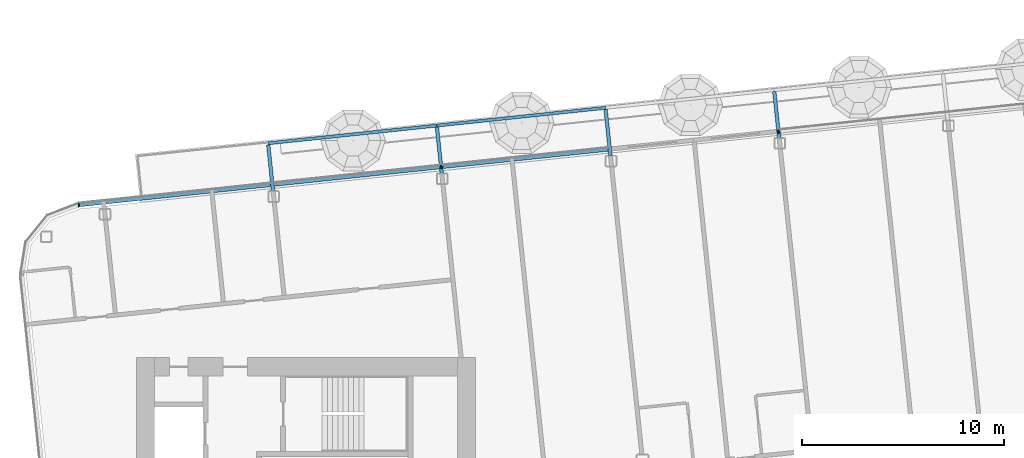
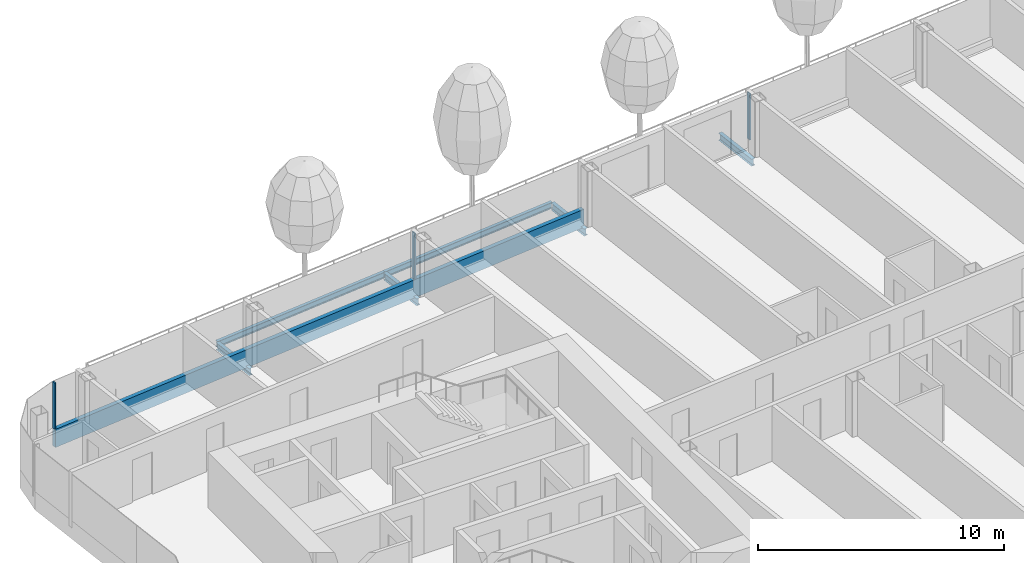
# One storey, part 7 of 29: 6 beams, 4 members, 1 element without a shape of its own.
"""IFC4 building model written with IfcOpenShell, lengths in metres."""

from ifc_helpers import new_model, si_unit, direction, frame, origin, origin_2d, place, context, subcontext, project, spatial, rectangle, i_section, extrude, material, layer, layer_set, material_profile, profile_set, type_object, element, aggregate, save


model = new_model("IFC4")

# Units and contexts
model_context = context("Model", 3, precision=1e-05, world=origin(), true_north=direction((0.0, 1.0)))
body_context = subcontext(model_context, "Body", "Model", "MODEL_VIEW")
ifc_project = project(units=[si_unit("LENGTHUNIT", "METRE"), si_unit("AREAUNIT", "SQUARE_METRE"), si_unit("VOLUMEUNIT", "CUBIC_METRE"), si_unit("PLANEANGLEUNIT", "RADIAN"), si_unit("MASSUNIT", "GRAM", prefix="KILO")], contexts=[model_context])

# Site, building, storey
site_placement = place(None, origin())
site = spatial("IfcSite", under=ifc_project, at=site_placement, CompositionType="ELEMENT")
building_placement = place(site_placement, origin())
building = spatial("IfcBuilding", under=site, at=building_placement, Name="Hakoniwa Tower and Hamabe Station Hall", CompositionType="ELEMENT")
storey_placement = place(building_placement, frame((0.0, 0.0, 258.199951171875)))
storey = spatial("IfcBuildingStorey", under=building, at=storey_placement, Name="L73", CompositionType="ELEMENT", Elevation=258.199951171875)

# Beams
ifc_material_1 = material(Name="Steel SN490B", Category="steel")
ifc_material_profile_1 = material_profile(ifc_material_1, i_section(OverallWidth=0.175048828125, OverallDepth=0.35009765625, WebThickness=0.007080078125, FlangeThickness=0.010986328125, FilletRadius=0.013916015625, at=origin_2d()), Name="H-350x175x7x11")
ifc_profile_set_1 = profile_set([ifc_material_profile_1], Name="Steel SN490B")
beam_type_1 = type_object("IfcBeamType", Name="BALCONY BRACKET H-350x175x7x11", PredefinedType="BEAM", material=ifc_profile_set_1)
for number, where, z_axis, x_axis, name in (
    (1, (-26.825927734375, 16.6484375, -0.625), (-0.104557694553, 0.994518822602, 0.0), (-0.994518822602, -0.104557694553, 0.0), "Balcony bracket B5-4-F5"),
    (2, (-18.471923828125, 17.526611328125, -0.625), (-0.104557694553, 0.994518822602, 0.0), (-0.994518822602, -0.104557694553, 0.0), "Balcony bracket B5-5-F5"),
    (3, (-10.117919921875, 18.404541015625, -0.625), (-0.104557694553, 0.994518822602, 0.0), (-0.994518822602, -0.104557694553, 0.0), "Balcony bracket B5-6-F5"),
    (4, (-1.763916015625, 19.28271484375, -0.625), (-0.104557694553, 0.994518822602, 0.0), (-0.994518822602, -0.104557694553, 0.0), "Balcony bracket B5-7-F5"),
):
    element("IfcBeam", number, at=place(storey_placement, frame(where, z_axis=z_axis, x_axis=x_axis)), inside=storey, type_object=beam_type_1, Name=name, PredefinedType="BEAM", context=body_context, shape_type="SweptSolid", body=[
        extrude(i_section(OverallWidth=0.175048828125, OverallDepth=0.35009765625, WebThickness=0.007080078125, FlangeThickness=0.010986328125, FilletRadius=0.013916015625, at=origin_2d()), origin(), (0.0, 0.0, 1.0), 2.300048828125),
    ])
ifc_material_2 = material(Name="Steel SN490B", Category="steel")
ifc_material_profile_2 = material_profile(ifc_material_2, i_section(OverallWidth=0.14990234375, OverallDepth=0.300048828125, WebThickness=0.006591796875, FlangeThickness=0.009033203125, FilletRadius=0.012939453125, at=origin_2d()), Name="H-300x150x6.5x9")
ifc_profile_set_2 = profile_set([ifc_material_profile_2], Name="Steel SN490B")
beam_type_2 = type_object("IfcBeamType", Name="BALCONY EDGE BEAM H-300x150x6.5x9", PredefinedType="BEAM", material=ifc_profile_set_2)
beam_1_placement = place(storey_placement, frame((-27.07421875, 19.010498046875, -0.599853515625), z_axis=(0.994523275226, 0.104515333968, 0.0), x_axis=(-0.104515333968, 0.994523275226, 0.0)))
element("IfcBeam", 5, at=beam_1_placement, inside=storey, type_object=beam_type_2, Name="Balcony edge beam B5-4-F5-B5-5-F5", PredefinedType="BEAM", context=body_context, shape_type="SweptSolid", body=[
    extrude(i_section(OverallWidth=0.14990234375, OverallDepth=0.300048828125, WebThickness=0.006591796875, FlangeThickness=0.009033203125, FilletRadius=0.012939453125, at=origin_2d()), origin(), (0.0, 0.0, 1.0), 8.39990234375),
])
beam_2_placement = place(storey_placement, frame((-18.72021484375, 19.888427734375, -0.599853515625), z_axis=(0.994520253788, 0.104544080685, 0.0), x_axis=(-0.104544080685, 0.994520253788, 0.0)))
element("IfcBeam", 6, at=beam_2_placement, inside=storey, type_object=beam_type_2, Name="Balcony edge beam B5-5-F5-B5-6-F5", PredefinedType="BEAM", context=body_context, shape_type="SweptSolid", body=[
    extrude(i_section(OverallWidth=0.14990234375, OverallDepth=0.300048828125, WebThickness=0.006591796875, FlangeThickness=0.009033203125, FilletRadius=0.012939453125, at=origin_2d()), origin(), (0.0, 0.0, 1.0), 8.400146484375),
])

# Curtain wall, members
ifc_material_3 = material(Name="Dark low-e laminated glass", Category="glass")
ifc_layer = layer(ifc_material_3, 0.199951171875)
ifc_layer_set = layer_set([ifc_layer], Name="CW-1 UNITISED GUEST")
curtain_wall_type = type_object("IfcCurtainWallType", Name="CW-1 UNITISED GUEST", PredefinedType="NOTDEFINED", material=ifc_layer_set)
curtain_wall_placement = place(storey_placement, origin())
curtain_wall = element("IfcCurtainWall", 7, at=curtain_wall_placement, inside=storey, type_object=curtain_wall_type, Name="CW-1 curtain wall", PredefinedType="NOTDEFINED")
ifc_material_4 = material(Name="Aluminium 6063-T5 black anodised", Category="aluminium")
ifc_material_profile_3 = material_profile(ifc_material_4, rectangle(XDim=0.199951171875, YDim=0.89990234375, at=origin_2d()), Name="CW SLAB-EDGE BAND 900X200")
ifc_profile_set_3 = profile_set([ifc_material_profile_3], Name="Aluminium 6063-T5 black anodised")
member_type_1 = type_object("IfcMemberType", Name="CW SLAB-EDGE BAND 900X200", PredefinedType="USERDEFINED", material=ifc_profile_set_3)
member_1_placement = place(storey_placement, frame((-10.09228515625, 18.734130859375, -0.099853515625), z_axis=(-0.994521595477, -0.104531316501, 0.0), x_axis=(0.104531316501, -0.994521595477, 0.0)))
member_1 = element("IfcMember", 8, at=member_1_placement, type_object=member_type_1, Name="CW-1 transom", ObjectType="TRANSOM", PredefinedType="USERDEFINED", context=body_context, shape_type="SweptSolid", body=[
    extrude(rectangle(XDim=0.199951171875, YDim=0.89990234375, at=origin_2d()), origin(), (0.0, 0.0, 1.0), 26.49951171875),
])
ifc_material_5 = material(Name="Aluminium 6063-T5 black anodised", Category="aluminium")
ifc_material_profile_4 = material_profile(ifc_material_5, rectangle(XDim=0.06005859375, YDim=0.179931640625, at=origin_2d()), Name="CW-1 MULLION 60X180")
ifc_profile_set_4 = profile_set([ifc_material_profile_4], Name="Aluminium 6063-T5 black anodised")
member_type_2 = type_object("IfcMemberType", Name="CW-1 MULLION 60X180", PredefinedType="MULLION", material=ifc_profile_set_4)
member_2_placement = place(storey_placement, frame((-1.7958984375, 19.587890625, 0.35009765625), z_axis=(0.0, 0.0, 1.0), x_axis=(-0.994521895272, -0.104528464188, 0.0)))
member_2 = element("IfcMember", 9, at=member_2_placement, type_object=member_type_2, Name="CW-1 mullion", PredefinedType="MULLION", context=body_context, shape_type="SweptSolid", body=[
    extrude(rectangle(XDim=0.06005859375, YDim=0.179931640625, at=origin_2d()), origin(), (0.0, 0.0, 1.0), 2.300048828125),
])
member_3_placement = place(storey_placement, frame((-18.50390625, 17.831787109375, 0.35009765625), z_axis=(0.0, 0.0, 1.0), x_axis=(-0.994521895272, -0.104528464188, 0.0)))
member_3 = element("IfcMember", 10, at=member_3_placement, type_object=member_type_2, Name="CW-1 mullion", PredefinedType="MULLION", context=body_context, shape_type="SweptSolid", body=[
    extrude(rectangle(XDim=0.06005859375, YDim=0.179931640625, at=origin_2d()), origin(), (0.0, 0.0, 1.0), 2.300048828125),
])
member_4_placement = place(storey_placement, frame((-36.444580078125, 15.946044921875, 0.35009765625), z_axis=(0.0, 0.0, 1.0), x_axis=(-0.994521895272, -0.104528464188, 0.0)))
member_4 = element("IfcMember", 11, at=member_4_placement, type_object=member_type_2, Name="CW-1 mullion", PredefinedType="MULLION", context=body_context, shape_type="SweptSolid", body=[
    extrude(rectangle(XDim=0.06005859375, YDim=0.179931640625, at=origin_2d()), origin(), (0.0, 0.0, 1.0), 2.300048828125),
])
aggregate(curtain_wall, [member_2, member_3, member_4, member_1])

save(model, "model.ifc")
